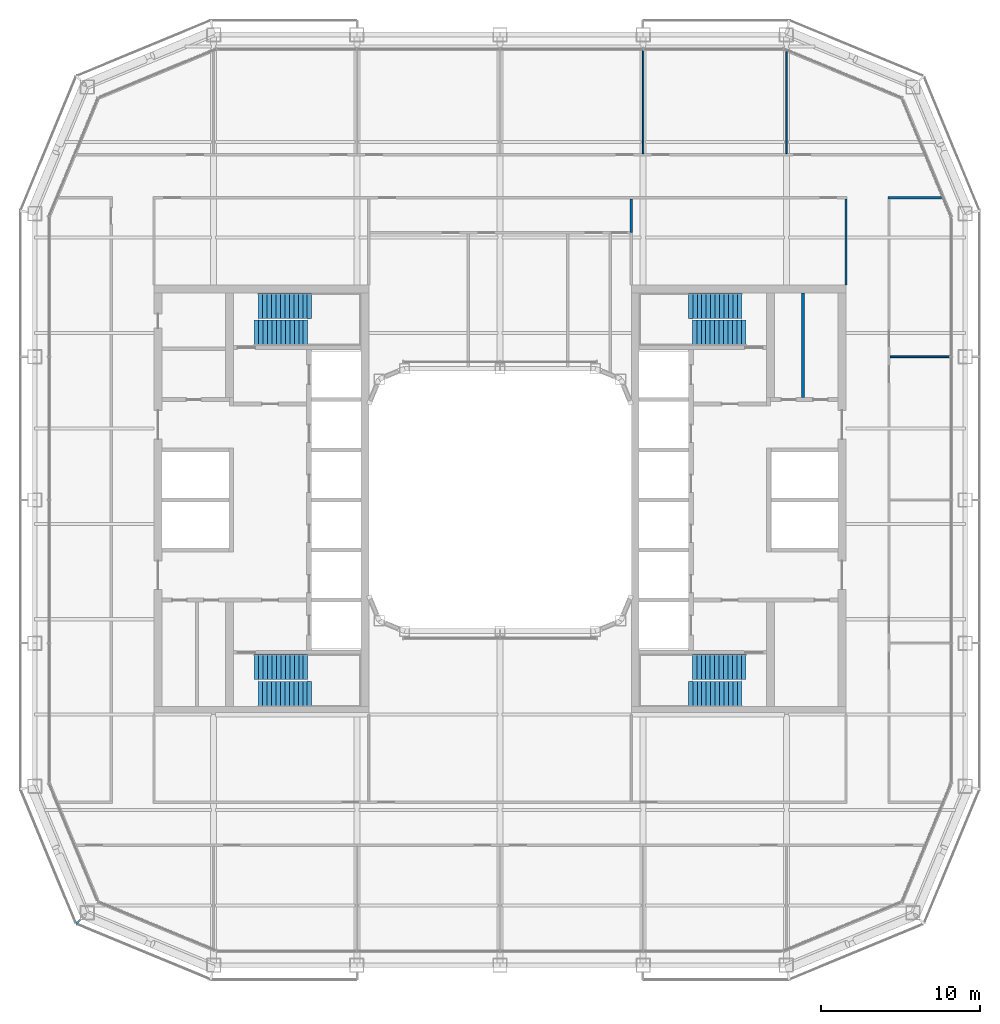
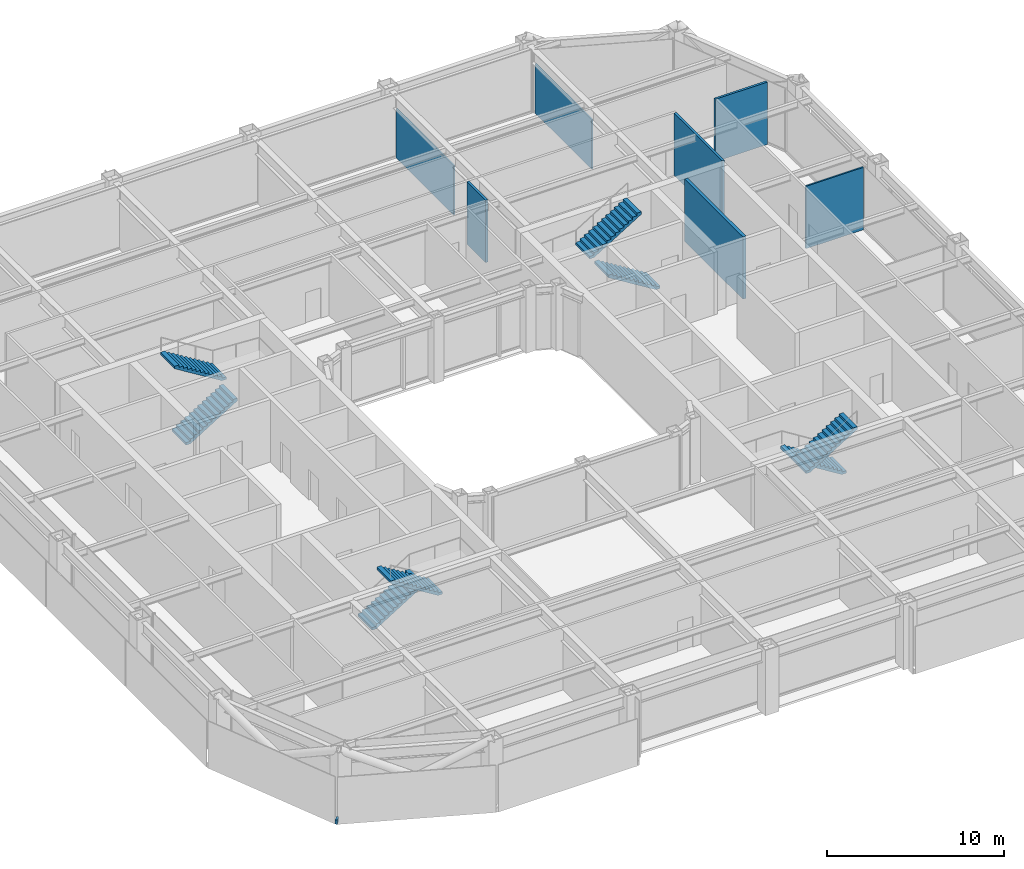
# One storey, part 14 of 21: 8 stair flights, 7 walls, 1 discrete accessory, 4 elements without a shape of their own.
"""IFC4 building model written with IfcOpenShell, lengths in metres."""

from ifc_helpers import new_model, si_unit, direction, frame, frame_2d, origin, origin_2d, place, context, subcontext, project, spatial, polyline, rectangle, outline, extrude, material, layer, layer_set, type_object, element, aggregate, save


model = new_model("IFC4")

# Units and contexts
model_context = context("Model", 3, precision=1e-05, world=origin(), true_north=direction((0.0, 1.0)))
body_context = subcontext(model_context, "Body", "Model", "MODEL_VIEW")
ifc_project = project(units=[si_unit("LENGTHUNIT", "METRE"), si_unit("AREAUNIT", "SQUARE_METRE"), si_unit("VOLUMEUNIT", "CUBIC_METRE"), si_unit("PLANEANGLEUNIT", "RADIAN"), si_unit("MASSUNIT", "GRAM", prefix="KILO")], contexts=[model_context])

# Site, building, storey
site_placement = place(None, origin())
site = spatial("IfcSite", under=ifc_project, at=site_placement, CompositionType="ELEMENT")
building_placement = place(site_placement, origin())
building = spatial("IfcBuilding", under=site, at=building_placement, Name="Siwar Civic Tower", CompositionType="ELEMENT")
storey_placement = place(building_placement, frame((0.0, 0.0, 176.699951171875)))
storey = spatial("IfcBuildingStorey", under=building, at=storey_placement, Name="L38", CompositionType="ELEMENT", Elevation=176.699951171875)

# Walls
ifc_material_1 = material(Name="Gypsum board on steel studs", Category="steel")
ifc_layer_1 = layer(ifc_material_1, 0.199951171875)
ifc_layer_set_1 = layer_set([ifc_layer_1], Name="Gypsum board on steel studs")
wall_type_1 = type_object("IfcWallType", Name="CORE-PARTITION-200", PredefinedType="PARTITIONING", material=ifc_layer_set_1)
wall_1_placement = place(storey_placement, frame((19.050048828125, 6.425048828125, 0.0), z_axis=(0.0, 0.0, 1.0), x_axis=(0.0, 1.0, 0.0)))
element("IfcWall", 1, at=wall_1_placement, inside=storey, type_object=wall_type_1, Name="Core partition E", PredefinedType="PARTITIONING", context=body_context, shape_type="SweptSolid", body=[
    extrude(rectangle(XDim=6.574951171875, YDim=0.199951171875, at=frame_2d((3.28759765625, 0.0))), origin(), (0.0, 0.0, 1.0), 4.300048828125),
])
ifc_material_2 = material(Name="Gypsum board on steel studs", Category="steel")
ifc_layer_2 = layer(ifc_material_2, 0.14990234375)
ifc_layer_set_2 = layer_set([ifc_layer_2], Name="Gypsum board on steel studs")
wall_type_2 = type_object("IfcWallType", Name="CORRIDOR PARTITION 150 EI 30", PredefinedType="PARTITIONING", material=ifc_layer_set_2)
wall_2_placement = place(storey_placement, frame((24.375, 19.0, 0.0), z_axis=(0.0, 0.0, 1.0), x_axis=(1.0, 0.0, 0.0)))
element("IfcWall", 2, at=wall_2_placement, inside=storey, type_object=wall_type_2, Name="L38/wall/P12", PredefinedType="PARTITIONING", context=body_context, shape_type="SweptSolid", body=[
    extrude(rectangle(XDim=3.388916015625, YDim=0.14990234375, at=frame_2d((1.6943359375, 0.0))), origin(), (0.0, 0.0, 1.0), 4.300048828125),
])
wall_3_placement = place(storey_placement, frame((8.25, 16.800048828125, 0.0), z_axis=(0.0, 0.0, 1.0), x_axis=(0.0, 1.0, 0.0)))
element("IfcWall", 3, at=wall_3_placement, inside=storey, type_object=wall_type_2, Name="L38/wall/P29", PredefinedType="PARTITIONING", context=body_context, shape_type="SweptSolid", body=[
    extrude(rectangle(XDim=2.125, YDim=0.14990234375, at=frame_2d((1.0625, 0.0))), origin(), (0.0, 0.0, 1.0), 4.300048828125),
])
wall_4_placement = place(storey_placement, frame((21.75, 13.5, 0.0), z_axis=(0.0, 0.0, 1.0), x_axis=(0.0, 1.0, 0.0)))
element("IfcWall", 4, at=wall_4_placement, inside=storey, type_object=wall_type_2, Name="L38/wall/P36", PredefinedType="PARTITIONING", context=body_context, shape_type="SweptSolid", body=[
    extrude(rectangle(XDim=5.425048828125, YDim=0.14990234375, at=frame_2d((2.71240234375, 0.0))), origin(), (0.0, 0.0, 1.0), 4.300048828125),
])
ifc_material_3 = material(Name="Gypsum board on steel studs", Category="steel")
ifc_layer_3 = layer(ifc_material_3, 0.10009765625)
ifc_layer_set_3 = layer_set([ifc_layer_3], Name="Gypsum board on steel studs")
wall_type_3 = type_object("IfcWallType", Name="PARTITION 100 GYPSUM", PredefinedType="PARTITIONING", material=ifc_layer_set_3)
wall_5_placement = place(storey_placement, frame((24.52490234375, 9.0, 0.0), z_axis=(0.0, 0.0, 1.0), x_axis=(1.0, 0.0, 0.0)))
element("IfcWall", 5, at=wall_5_placement, inside=storey, type_object=wall_type_3, Name="L38/wall/P07", PredefinedType="PARTITIONING", context=body_context, shape_type="SweptSolid", body=[
    extrude(rectangle(XDim=3.735107421875, YDim=0.10009765625, at=frame_2d((1.86767578125, 0.0))), origin(), (0.0, 0.0, 1.0), 4.300048828125),
])
wall_6_placement = place(storey_placement, frame((9.0, 21.77490234375, 0.0), z_axis=(0.0, 0.0, 1.0), x_axis=(0.0, 1.0, 0.0)))
element("IfcWall", 6, at=wall_6_placement, inside=storey, type_object=wall_type_3, Name="L38/wall/P32", PredefinedType="PARTITIONING", context=body_context, shape_type="SweptSolid", body=[
    extrude(rectangle(XDim=6.485107421875, YDim=0.10009765625, at=frame_2d((3.24267578125, 0.0))), origin(), (0.0, 0.0, 1.0), 3.400146484375),
])
wall_7_placement = place(storey_placement, frame((18.0, 21.77490234375, 0.0), z_axis=(0.0, 0.0, 1.0), x_axis=(0.0, 1.0, 0.0)))
element("IfcWall", 7, at=wall_7_placement, inside=storey, type_object=wall_type_3, Name="L38/wall/P34", PredefinedType="PARTITIONING", context=body_context, shape_type="SweptSolid", body=[
    extrude(rectangle(XDim=6.403076171875, YDim=0.10009765625, at=frame_2d((3.20166015625, 0.0))), origin(), (0.0, 0.0, 1.0), 3.400146484375),
])

# Stair, stair flights
ifc_material_4 = material(Name="Concrete C40/50", Category="concrete")
stair_type = type_object("IfcStairType", Name="CORE-STAIR", PredefinedType="TWO_STRAIGHT_RUN_STAIR", material=ifc_material_4)
stair_1_placement = place(storey_placement, origin())
stair_1 = element("IfcStair", 8, at=stair_1_placement, inside=storey, type_object=stair_type, Name="Exit stair ST1", PredefinedType="TWO_STRAIGHT_RUN_STAIR")
ifc_material_5 = material(Name="Concrete C40/50", Category="concrete")
stair_flight_type = type_object("IfcStairFlightType", Name="CORE-STAIR-FLIGHT", PredefinedType="STRAIGHT", material=ifc_material_5)
stair_flight_1_placement = place(storey_placement, frame((-15.449951171875, 10.5, 0.0), z_axis=(0.0, 0.0, 1.0), x_axis=(1.0, 0.0, 0.0)))
stair_flight_1 = element("IfcStairFlight", 9, at=stair_flight_1_placement, type_object=stair_flight_type, Name="ST1 flight 1", NumberOfRisers=13, NumberOfTreads=12, PredefinedType="STRAIGHT", RiserHeight=0.173076923, TreadLength=0.28, context=body_context, shape_type="SweptSolid", body=[
    extrude(outline(polyline([(0.0, 0.0), (0.0, 0.173095703125), (0.280029296875, 0.173095703125), (0.280029296875, 0.34619140625), (0.56005859375, 0.34619140625), (0.56005859375, 0.519287109375), (0.840087890625, 0.519287109375), (0.840087890625, 0.6923828125), (1.1201171875, 0.6923828125), (1.1201171875, 0.865478515625), (1.39990234375, 0.865478515625), (1.39990234375, 1.03857421875), (1.679931640625, 1.03857421875), (1.679931640625, 1.21142578125), (1.9599609375, 1.21142578125), (1.9599609375, 1.384521484375), (2.239990234375, 1.384521484375), (2.239990234375, 1.5576171875), (2.52001953125, 1.5576171875), (2.52001953125, 1.730712890625), (2.800048828125, 1.730712890625), (2.800048828125, 1.90380859375), (3.080078125, 1.90380859375), (3.080078125, 2.076904296875), (3.360107421875, 2.076904296875), (3.360107421875, 2.25), (3.360107421875, 1.900634765625), (0.28515625, 0.0), (0.0, 0.0)])), frame((0.0, 0.800048828125, 0.0), z_axis=(0.0, -1.0, 0.0), x_axis=(1.0, 0.0, 0.0)), (0.0, 0.0, 1.0), 1.60009765625),
])
stair_flight_2_placement = place(storey_placement, frame((-11.840087890625, 12.199951171875, 2.25), z_axis=(0.0, 0.0, 1.0), x_axis=(-1.0, 0.0, 0.0)))
stair_flight_2 = element("IfcStairFlight", 10, at=stair_flight_2_placement, type_object=stair_flight_type, Name="ST1 flight 2", NumberOfRisers=13, NumberOfTreads=12, PredefinedType="STRAIGHT", RiserHeight=0.173076923, TreadLength=0.28, context=body_context, shape_type="SweptSolid", body=[
    extrude(outline(polyline([(0.0, 0.0), (0.0, 0.173095703125), (0.280029296875, 0.173095703125), (0.280029296875, 0.34619140625), (0.56005859375, 0.34619140625), (0.56005859375, 0.519287109375), (0.840087890625, 0.519287109375), (0.840087890625, 0.6923828125), (1.1201171875, 0.6923828125), (1.1201171875, 0.865478515625), (1.39990234375, 0.865478515625), (1.39990234375, 1.03857421875), (1.679931640625, 1.03857421875), (1.679931640625, 1.21142578125), (1.9599609375, 1.21142578125), (1.9599609375, 1.384521484375), (2.239990234375, 1.384521484375), (2.239990234375, 1.5576171875), (2.52001953125, 1.5576171875), (2.52001953125, 1.730712890625), (2.800048828125, 1.730712890625), (2.800048828125, 1.90380859375), (3.080078125, 1.90380859375), (3.080078125, 2.076904296875), (3.360107421875, 2.076904296875), (3.360107421875, 2.25), (3.360107421875, 1.900634765625), (0.28515625, 0.0), (0.0, 0.0)])), frame((0.0, 0.800048828125, 0.0), z_axis=(0.0, -1.0, 0.0), x_axis=(1.0, 0.0, 0.0)), (0.0, 0.0, 1.0), 1.60009765625),
])
aggregate(stair_1, [stair_flight_1, stair_flight_2])

stair_2_placement = place(storey_placement, origin())
stair_2 = element("IfcStair", 11, at=stair_2_placement, inside=storey, type_object=stair_type, Name="Exit stair ST2", PredefinedType="TWO_STRAIGHT_RUN_STAIR")
stair_flight_3_placement = place(storey_placement, frame((-15.449951171875, -10.5, 0.0), z_axis=(0.0, 0.0, 1.0), x_axis=(1.0, 0.0, 0.0)))
stair_flight_3 = element("IfcStairFlight", 12, at=stair_flight_3_placement, type_object=stair_flight_type, Name="ST2 flight 1", NumberOfRisers=13, NumberOfTreads=12, PredefinedType="STRAIGHT", RiserHeight=0.173076923, TreadLength=0.28, context=body_context, shape_type="SweptSolid", body=[
    extrude(outline(polyline([(0.0, 0.0), (0.0, 0.173095703125), (0.280029296875, 0.173095703125), (0.280029296875, 0.34619140625), (0.56005859375, 0.34619140625), (0.56005859375, 0.519287109375), (0.840087890625, 0.519287109375), (0.840087890625, 0.6923828125), (1.1201171875, 0.6923828125), (1.1201171875, 0.865478515625), (1.39990234375, 0.865478515625), (1.39990234375, 1.03857421875), (1.679931640625, 1.03857421875), (1.679931640625, 1.21142578125), (1.9599609375, 1.21142578125), (1.9599609375, 1.384521484375), (2.239990234375, 1.384521484375), (2.239990234375, 1.5576171875), (2.52001953125, 1.5576171875), (2.52001953125, 1.730712890625), (2.800048828125, 1.730712890625), (2.800048828125, 1.90380859375), (3.080078125, 1.90380859375), (3.080078125, 2.076904296875), (3.360107421875, 2.076904296875), (3.360107421875, 2.25), (3.360107421875, 1.900634765625), (0.28515625, 0.0), (0.0, 0.0)])), frame((0.0, 0.800048828125, 0.0), z_axis=(0.0, -1.0, 0.0), x_axis=(1.0, 0.0, 0.0)), (0.0, 0.0, 1.0), 1.60009765625),
])
stair_flight_4_placement = place(storey_placement, frame((-11.840087890625, -12.199951171875, 2.25), z_axis=(0.0, 0.0, 1.0), x_axis=(-1.0, 0.0, 0.0)))
stair_flight_4 = element("IfcStairFlight", 13, at=stair_flight_4_placement, type_object=stair_flight_type, Name="ST2 flight 2", NumberOfRisers=13, NumberOfTreads=12, PredefinedType="STRAIGHT", RiserHeight=0.173076923, TreadLength=0.28, context=body_context, shape_type="SweptSolid", body=[
    extrude(outline(polyline([(0.0, 0.0), (0.0, 0.173095703125), (0.280029296875, 0.173095703125), (0.280029296875, 0.34619140625), (0.56005859375, 0.34619140625), (0.56005859375, 0.519287109375), (0.840087890625, 0.519287109375), (0.840087890625, 0.6923828125), (1.1201171875, 0.6923828125), (1.1201171875, 0.865478515625), (1.39990234375, 0.865478515625), (1.39990234375, 1.03857421875), (1.679931640625, 1.03857421875), (1.679931640625, 1.21142578125), (1.9599609375, 1.21142578125), (1.9599609375, 1.384521484375), (2.239990234375, 1.384521484375), (2.239990234375, 1.5576171875), (2.52001953125, 1.5576171875), (2.52001953125, 1.730712890625), (2.800048828125, 1.730712890625), (2.800048828125, 1.90380859375), (3.080078125, 1.90380859375), (3.080078125, 2.076904296875), (3.360107421875, 2.076904296875), (3.360107421875, 2.25), (3.360107421875, 1.900634765625), (0.28515625, 0.0), (0.0, 0.0)])), frame((0.0, 0.800048828125, 0.0), z_axis=(0.0, -1.0, 0.0), x_axis=(1.0, 0.0, 0.0)), (0.0, 0.0, 1.0), 1.60009765625),
])
aggregate(stair_2, [stair_flight_3, stair_flight_4])

stair_3_placement = place(storey_placement, origin())
stair_3 = element("IfcStair", 14, at=stair_3_placement, inside=storey, type_object=stair_type, Name="Exit stair ST3", PredefinedType="TWO_STRAIGHT_RUN_STAIR")
stair_flight_5_placement = place(storey_placement, frame((15.449951171875, 10.5, 0.0), z_axis=(0.0, 0.0, 1.0), x_axis=(-1.0, 0.0, 0.0)))
stair_flight_5 = element("IfcStairFlight", 15, at=stair_flight_5_placement, type_object=stair_flight_type, Name="ST3 flight 1", NumberOfRisers=13, NumberOfTreads=12, PredefinedType="STRAIGHT", RiserHeight=0.173076923, TreadLength=0.28, context=body_context, shape_type="SweptSolid", body=[
    extrude(outline(polyline([(0.0, 0.0), (0.0, 0.173095703125), (0.280029296875, 0.173095703125), (0.280029296875, 0.34619140625), (0.56005859375, 0.34619140625), (0.56005859375, 0.519287109375), (0.840087890625, 0.519287109375), (0.840087890625, 0.6923828125), (1.1201171875, 0.6923828125), (1.1201171875, 0.865478515625), (1.39990234375, 0.865478515625), (1.39990234375, 1.03857421875), (1.679931640625, 1.03857421875), (1.679931640625, 1.21142578125), (1.9599609375, 1.21142578125), (1.9599609375, 1.384521484375), (2.239990234375, 1.384521484375), (2.239990234375, 1.5576171875), (2.52001953125, 1.5576171875), (2.52001953125, 1.730712890625), (2.800048828125, 1.730712890625), (2.800048828125, 1.90380859375), (3.080078125, 1.90380859375), (3.080078125, 2.076904296875), (3.360107421875, 2.076904296875), (3.360107421875, 2.25), (3.360107421875, 1.900634765625), (0.28515625, 0.0), (0.0, 0.0)])), frame((0.0, 0.800048828125, 0.0), z_axis=(0.0, -1.0, 0.0), x_axis=(1.0, 0.0, 0.0)), (0.0, 0.0, 1.0), 1.60009765625),
])
stair_flight_6_placement = place(storey_placement, frame((11.840087890625, 12.199951171875, 2.25), z_axis=(0.0, 0.0, 1.0), x_axis=(1.0, 0.0, 0.0)))
stair_flight_6 = element("IfcStairFlight", 16, at=stair_flight_6_placement, type_object=stair_flight_type, Name="ST3 flight 2", NumberOfRisers=13, NumberOfTreads=12, PredefinedType="STRAIGHT", RiserHeight=0.173076923, TreadLength=0.28, context=body_context, shape_type="SweptSolid", body=[
    extrude(outline(polyline([(0.0, 0.0), (0.0, 0.173095703125), (0.280029296875, 0.173095703125), (0.280029296875, 0.34619140625), (0.56005859375, 0.34619140625), (0.56005859375, 0.519287109375), (0.840087890625, 0.519287109375), (0.840087890625, 0.6923828125), (1.1201171875, 0.6923828125), (1.1201171875, 0.865478515625), (1.39990234375, 0.865478515625), (1.39990234375, 1.03857421875), (1.679931640625, 1.03857421875), (1.679931640625, 1.21142578125), (1.9599609375, 1.21142578125), (1.9599609375, 1.384521484375), (2.239990234375, 1.384521484375), (2.239990234375, 1.5576171875), (2.52001953125, 1.5576171875), (2.52001953125, 1.730712890625), (2.800048828125, 1.730712890625), (2.800048828125, 1.90380859375), (3.080078125, 1.90380859375), (3.080078125, 2.076904296875), (3.360107421875, 2.076904296875), (3.360107421875, 2.25), (3.360107421875, 1.900634765625), (0.28515625, 0.0), (0.0, 0.0)])), frame((0.0, 0.800048828125, 0.0), z_axis=(0.0, -1.0, 0.0), x_axis=(1.0, 0.0, 0.0)), (0.0, 0.0, 1.0), 1.60009765625),
])
aggregate(stair_3, [stair_flight_5, stair_flight_6])

stair_4_placement = place(storey_placement, origin())
stair_4 = element("IfcStair", 17, at=stair_4_placement, inside=storey, type_object=stair_type, Name="Exit stair ST4", PredefinedType="TWO_STRAIGHT_RUN_STAIR")
stair_flight_7_placement = place(storey_placement, frame((15.449951171875, -10.5, 0.0), z_axis=(0.0, 0.0, 1.0), x_axis=(-1.0, 0.0, 0.0)))
stair_flight_7 = element("IfcStairFlight", 18, at=stair_flight_7_placement, type_object=stair_flight_type, Name="ST4 flight 1", NumberOfRisers=13, NumberOfTreads=12, PredefinedType="STRAIGHT", RiserHeight=0.173076923, TreadLength=0.28, context=body_context, shape_type="SweptSolid", body=[
    extrude(outline(polyline([(0.0, 0.0), (0.0, 0.173095703125), (0.280029296875, 0.173095703125), (0.280029296875, 0.34619140625), (0.56005859375, 0.34619140625), (0.56005859375, 0.519287109375), (0.840087890625, 0.519287109375), (0.840087890625, 0.6923828125), (1.1201171875, 0.6923828125), (1.1201171875, 0.865478515625), (1.39990234375, 0.865478515625), (1.39990234375, 1.03857421875), (1.679931640625, 1.03857421875), (1.679931640625, 1.21142578125), (1.9599609375, 1.21142578125), (1.9599609375, 1.384521484375), (2.239990234375, 1.384521484375), (2.239990234375, 1.5576171875), (2.52001953125, 1.5576171875), (2.52001953125, 1.730712890625), (2.800048828125, 1.730712890625), (2.800048828125, 1.90380859375), (3.080078125, 1.90380859375), (3.080078125, 2.076904296875), (3.360107421875, 2.076904296875), (3.360107421875, 2.25), (3.360107421875, 1.900634765625), (0.28515625, 0.0), (0.0, 0.0)])), frame((0.0, 0.800048828125, 0.0), z_axis=(0.0, -1.0, 0.0), x_axis=(1.0, 0.0, 0.0)), (0.0, 0.0, 1.0), 1.60009765625),
])
stair_flight_8_placement = place(storey_placement, frame((11.840087890625, -12.199951171875, 2.25), z_axis=(0.0, 0.0, 1.0), x_axis=(1.0, 0.0, 0.0)))
stair_flight_8 = element("IfcStairFlight", 19, at=stair_flight_8_placement, type_object=stair_flight_type, Name="ST4 flight 2", NumberOfRisers=13, NumberOfTreads=12, PredefinedType="STRAIGHT", RiserHeight=0.173076923, TreadLength=0.28, context=body_context, shape_type="SweptSolid", body=[
    extrude(outline(polyline([(0.0, 0.0), (0.0, 0.173095703125), (0.280029296875, 0.173095703125), (0.280029296875, 0.34619140625), (0.56005859375, 0.34619140625), (0.56005859375, 0.519287109375), (0.840087890625, 0.519287109375), (0.840087890625, 0.6923828125), (1.1201171875, 0.6923828125), (1.1201171875, 0.865478515625), (1.39990234375, 0.865478515625), (1.39990234375, 1.03857421875), (1.679931640625, 1.03857421875), (1.679931640625, 1.21142578125), (1.9599609375, 1.21142578125), (1.9599609375, 1.384521484375), (2.239990234375, 1.384521484375), (2.239990234375, 1.5576171875), (2.52001953125, 1.5576171875), (2.52001953125, 1.730712890625), (2.800048828125, 1.730712890625), (2.800048828125, 1.90380859375), (3.080078125, 1.90380859375), (3.080078125, 2.076904296875), (3.360107421875, 2.076904296875), (3.360107421875, 2.25), (3.360107421875, 1.900634765625), (0.28515625, 0.0), (0.0, 0.0)])), frame((0.0, 0.800048828125, 0.0), z_axis=(0.0, -1.0, 0.0), x_axis=(1.0, 0.0, 0.0)), (0.0, 0.0, 1.0), 1.60009765625),
])
aggregate(stair_4, [stair_flight_7, stair_flight_8])

# Discrete accessory
ifc_material_6 = material(Name="Stainless steel 316", Category="steel")
discrete_accessory_type = type_object("IfcDiscreteAccessoryType", Name="ENV-BRACKET", PredefinedType="BRACKET", material=ifc_material_6)
discrete_accessory_placement = place(storey_placement, frame((-26.517333984375, -26.517333984375, -0.14990234375), z_axis=(0.0, 0.0, 1.0), x_axis=(-0.707106781187, -0.707106781187, 0.0)))
element("IfcDiscreteAccessory", 20, at=discrete_accessory_placement, inside=storey, type_object=discrete_accessory_type, Name="Bracket outer skin joint V11", PredefinedType="BRACKET", context=body_context, shape_type="SweptSolid", body=[
    extrude(rectangle(XDim=0.357666015625, YDim=0.12939453125, at=origin_2d()), origin(), (0.0, 0.0, 1.0), 0.300048828125),
])

save(model, "model.ifc")
